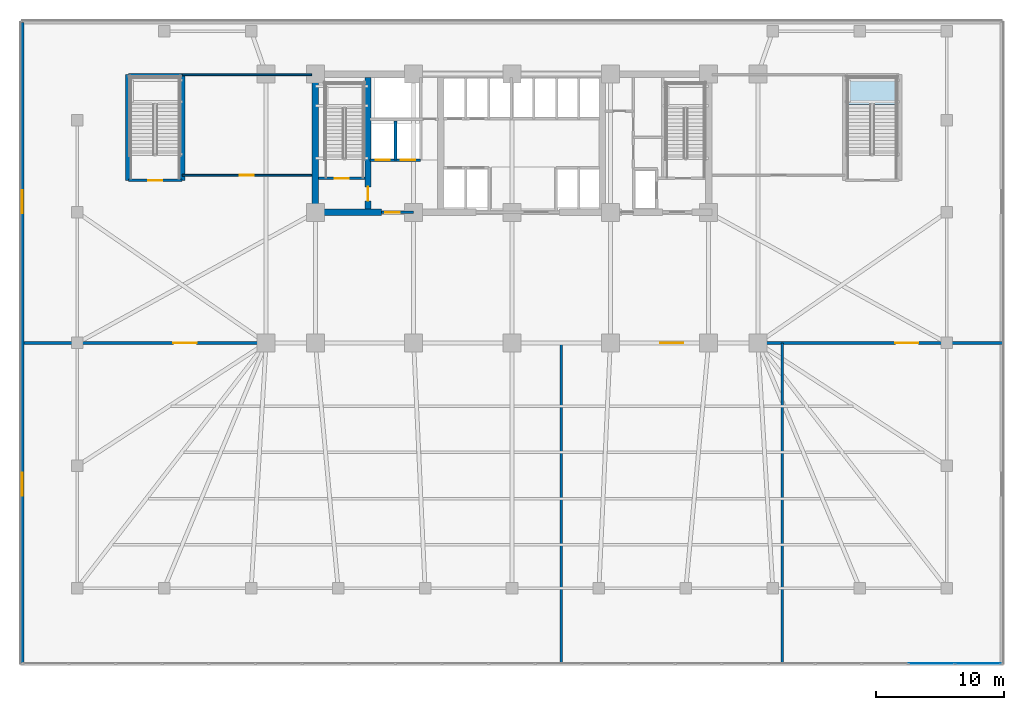
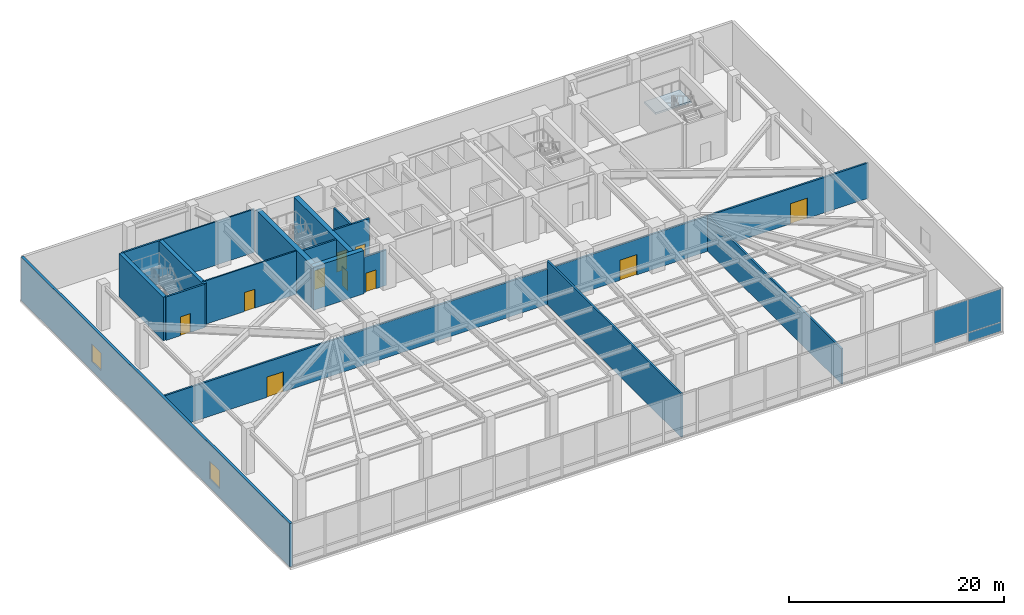
# One storey, part 12 of 19: 17 walls, 10 doors, 3 plates, 2 windows, 1 slab, 12 openings, 2 elements without a shape of their own.
"""IFC4 building model written with IfcOpenShell, lengths in metres."""

from ifc_helpers import new_model, si_unit, direction, frame, frame_2d, origin, origin_2d, place, context, subcontext, project, spatial, polyline, rectangle, outline, extrude, material, layer, layer_set, type_object, element, fill, aggregate, save


model = new_model("IFC4")

# Units and contexts
model_context = context("Model", 3, precision=1e-05, world=origin(), true_north=direction((0.0, 1.0)))
body_context = subcontext(model_context, "Body", "Model", "MODEL_VIEW")
ifc_project = project(units=[si_unit("LENGTHUNIT", "METRE"), si_unit("AREAUNIT", "SQUARE_METRE"), si_unit("VOLUMEUNIT", "CUBIC_METRE"), si_unit("PLANEANGLEUNIT", "RADIAN"), si_unit("MASSUNIT", "GRAM", prefix="KILO")], contexts=[model_context])

# Site, building, storey
site_placement = place(None, origin())
site = spatial("IfcSite", under=ifc_project, at=site_placement, CompositionType="ELEMENT")
building_placement = place(site_placement, origin())
building = spatial("IfcBuilding", under=site, at=building_placement, Name="Yelkora Congress Tower", CompositionType="ELEMENT")
storey_placement = place(building_placement, frame((0.0, 0.0, 5.199951171875)))
storey = spatial("IfcBuildingStorey", under=building, at=storey_placement, Name="L01", CompositionType="ELEMENT", Elevation=5.199951171875)

# Curtain wall, plates
ifc_material_1 = material(Name="Anodised aluminium and insulated glass", Category="aluminium")
curtain_wall_type = type_object("IfcCurtainWallType", Name="CW-SYS-POD", PredefinedType="NOTDEFINED", material=ifc_material_1)
curtain_wall_placement = place(storey_placement, origin())
curtain_wall = element("IfcCurtainWall", 1, at=curtain_wall_placement, inside=storey, type_object=curtain_wall_type, Name="L01 Podium South Curtain Wall", PredefinedType="NOTDEFINED")
ifc_material_2 = material(Name="Double-glazed low-E podium vision glass", Category="glass")
ifc_layer_1 = layer(ifc_material_2, 0.0439453125)
ifc_layer_set_1 = layer_set([ifc_layer_1], Name="Double-glazed low-E podium vision glass")
plate_type = type_object("IfcPlateType", Name="PLT-PN-POD", PredefinedType="CURTAIN_PANEL", material=ifc_layer_set_1)
plate_1_placement = place(storey_placement, frame((74.80029296875, 0.159912109375, 0.070068359375), z_axis=(0.0, 0.0, 1.0), x_axis=(-1.0, 0.0, 0.0)))
plate_1 = element("IfcPlate", 2, at=plate_1_placement, type_object=plate_type, Name="CW-POD panel 1.1", PredefinedType="CURTAIN_PANEL", context=body_context, shape_type="SweptSolid", body=[
    extrude(rectangle(XDim=3.529296875, YDim=0.0439453125, at=origin_2d()), origin(), (0.0, 0.0, 1.0), 0.9951171875),
])
plate_2_placement = place(storey_placement, frame((74.80029296875, 0.159912109375, 1.134765625), z_axis=(0.0, 0.0, 1.0), x_axis=(-1.0, 0.0, 0.0)))
plate_2 = element("IfcPlate", 3, at=plate_2_placement, type_object=plate_type, Name="CW-POD panel 1.2", PredefinedType="CURTAIN_PANEL", context=body_context, shape_type="SweptSolid", body=[
    extrude(rectangle(XDim=3.529296875, YDim=0.0439453125, at=origin_2d()), origin(), (0.0, 0.0, 1.0), 3.735107421875),
])
plate_3_placement = place(storey_placement, frame((71.17724609375, 0.159912109375, 1.134765625), z_axis=(0.0, 0.0, 1.0), x_axis=(-1.0, 0.0, 0.0)))
plate_3 = element("IfcPlate", 4, at=plate_3_placement, type_object=plate_type, Name="CW-POD panel 2.2", PredefinedType="CURTAIN_PANEL", context=body_context, shape_type="SweptSolid", body=[
    extrude(rectangle(XDim=3.56689453125, YDim=0.0439453125, at=origin_2d()), origin(), (0.0, 0.0, 1.0), 3.735107421875),
])
aggregate(curtain_wall, [plate_1, plate_2, plate_3])

# Stair, slab
ifc_material_3 = material(Name="Concrete C40/50", Category="concrete")
stair_type = type_object("IfcStairType", Name="STAIR-HT-1850-R30-173", PredefinedType="HALF_TURN_STAIR", material=ifc_material_3)
stair_placement = place(storey_placement, origin())
stair = element("IfcStair", 5, at=stair_placement, inside=storey, type_object=stair_type, Name="Podium Exit Stair ST-P2 (L01)", PredefinedType="HALF_TURN_STAIR")
ifc_layer_2 = layer(ifc_material_3, 0.219970703125)
ifc_layer_set_2 = layer_set([ifc_layer_2], Name="Concrete C40/50")
slab_type = type_object("IfcSlabType", Name="SLAB-LANDING-220", PredefinedType="LANDING", material=ifc_layer_set_2)
slab_placement = place(storey_placement, frame((0.0, 0.0, 2.380126953125)))
slab = element("IfcSlab", 6, at=slab_placement, type_object=slab_type, Name="ST-P2 L01 Half Landing 1", PredefinedType="LANDING", context=body_context, shape_type="SweptSolid", body=[
    extrude(outline(polyline([(68.4599609375, 43.820068359375), (68.4599609375, 45.949951171875), (64.60009765625, 45.949951171875), (64.60009765625, 43.820068359375), (68.4599609375, 43.820068359375)])), origin(), (0.0, 0.0, 1.0), 0.219970703125),
])
aggregate(stair, [slab])

# Walls
ifc_material_4 = material(Name="Concrete C50/60", Category="concrete")
ifc_layer_3 = layer(ifc_material_4, 0.39990234375)
ifc_layer_set_3 = layer_set([ifc_layer_3], Name="Concrete C50/60")
wall_type_1 = type_object("IfcWallType", Name="WALL-CORE-INT-400", PredefinedType="SHEAR", material=ifc_layer_set_3)
for number, where, z_axis, x_axis, name in (
    (7, (8.39990234375, 37.89990234375, 0.0), (0.0, 0.0, 1.0), (0.0, 1.0, 0.0), "L01 STP1 West Shear Wall"),
    (8, (12.659912109375, 37.89990234375, 0.0), (0.0, 0.0, 1.0), (0.0, 1.0, 0.0), "L01 STP1 East Shear Wall"),
):
    element("IfcWall", number, at=place(storey_placement, frame(where, z_axis=z_axis, x_axis=x_axis)), inside=storey, type_object=wall_type_1, Name=name, PredefinedType="SHEAR", context=body_context, shape_type="SweptSolid", body=[
        extrude(rectangle(XDim=8.25, YDim=0.39990234375, at=frame_2d((4.125, 0.0))), origin(), (0.0, 0.0, 1.0), 4.93994140625),
    ])
ifc_material_5 = material(Name="Concrete C60/75", Category="concrete")
ifc_layer_4 = layer(ifc_material_5, 0.5)
ifc_layer_set_4 = layer_set([ifc_layer_4], Name="Concrete C60/75")
wall_type_2 = type_object("IfcWallType", Name="WALL-CORE-INT-500", PredefinedType="SHEAR", material=ifc_layer_set_4)
wall_1_placement = place(storey_placement, frame((22.7900390625, 35.39990234375, 0.0), z_axis=(0.0, 0.0, 1.0), x_axis=(1.0, 0.0, 0.0)))
element("IfcWall", 9, at=wall_1_placement, inside=storey, type_object=wall_type_2, Name="L01 Rear Core South-West Shear Wall", PredefinedType="SHEAR", context=body_context, shape_type="SweptSolid", body=[
    extrude(rectangle(XDim=5.409912109375, YDim=0.5, at=frame_2d((2.705078125, 0.0))), origin(), (0.0, 0.0, 1.0), 4.93994140625),
])
wall_2_placement = place(storey_placement, frame((23.0400390625, 35.64990234375, 0.0), z_axis=(0.0, 0.0, 1.0), x_axis=(0.0, 1.0, 0.0)))
element("IfcWall", 10, at=wall_2_placement, inside=storey, type_object=wall_type_2, Name="L01 Rear Core Cross Shear Wall W", PredefinedType="SHEAR", context=body_context, shape_type="SweptSolid", body=[
    extrude(rectangle(XDim=10.300048828125, YDim=0.5, at=frame_2d((5.14990234375, 0.0))), origin(), (0.0, 0.0, 1.0), 4.93994140625),
])

# Wall, opening, door
wall_3_placement = place(storey_placement, frame((27.14990234375, 35.64990234375, 0.0), z_axis=(0.0, 0.0, 1.0), x_axis=(0.0, 1.0, 0.0)))
wall_3 = element("IfcWall", 11, at=wall_3_placement, inside=storey, type_object=wall_type_2, Name="L01 Rear Core Cross Shear Wall C1", PredefinedType="SHEAR", context=body_context, shape_type="SweptSolid", body=[
    extrude(rectangle(XDim=10.300048828125, YDim=0.5, at=frame_2d((5.14990234375, 0.0))), origin(), (0.0, 0.0, 1.0), 4.93994140625),
])
opening_1_placement = place(wall_3_placement, frame((0.64990234375, 0.0, 0.0)))
opening_1 = element("IfcOpeningElement", 12, at=opening_1_placement, cuts=wall_3, Name="Opening DR-110F9", PredefinedType="OPENING", context=body_context, shape_type="SweptSolid", body=[
    extrude(rectangle(XDim=1.10009765625, YDim=2.14990234375, at=frame_2d((0.550048828125, 1.074951171875))), frame((0.0, 0.260009765625, 0.0), z_axis=(0.0, -1.0, 0.0), x_axis=(1.0, 0.0, 0.0)), (0.0, 0.0, 1.0), 0.52001953125),
])
ifc_material_6 = material(Name="Galvanised steel fire door leaf", Category="steel")
door_type_1 = type_object("IfcDoorType", Name="DOOR-FD90-1100", OperationType="NOTDEFINED", PredefinedType="DOOR", material=ifc_material_6)
door_1_placement = place(opening_1_placement, origin())
door_1 = element("IfcDoor", 13, at=door_1_placement, inside=storey, type_object=door_type_1, Name="L01 Firefighting Stair Transfer Door", OperationType="SINGLE_SWING_LEFT", OverallHeight=2.14990234375, OverallWidth=1.10009765625, PredefinedType="DOOR", context=body_context, shape_type="SweptSolid", body=[
    extrude(rectangle(XDim=1.10009765625, YDim=2.14990234375, at=frame_2d((0.550048828125, 1.074951171875))), frame((0.0, 0.02490234375, 0.0), z_axis=(0.0, -1.0, 0.0), x_axis=(1.0, 0.0, 0.0)), (0.0, 0.0, 1.0), 0.050048828125),
])
fill(opening_1, door_1)

# Wall, openings, windows
ifc_layer_5 = layer(ifc_material_3, 0.280029296875)
ifc_layer_set_5 = layer_set([ifc_layer_5], Name="Concrete C40/50")
wall_type_3 = type_object("IfcWallType", Name="WALL-EXT-LIMESTONE-280", PredefinedType="SOLIDWALL", material=ifc_layer_set_5)
wall_4_placement = place(storey_placement, frame((0.159912109375, 0.159912109375, 0.0), z_axis=(0.0, 0.0, 1.0), x_axis=(0.0, 1.0, 0.0)))
wall_4 = element("IfcWall", 14, at=wall_4_placement, inside=storey, type_object=wall_type_3, Name="L01 Podium Limestone Wall 1", PredefinedType="SOLIDWALL", context=body_context, shape_type="SweptSolid", body=[
    extrude(rectangle(XDim=50.080078125, YDim=0.280029296875, at=frame_2d((25.0400390625, 0.0))), origin(), (0.0, 0.0, 1.0), 4.93994140625),
])
opening_2_placement = place(wall_4_placement, frame((13.122314453125, 0.0, 1.0)))
opening_2 = element("IfcOpeningElement", 15, at=opening_2_placement, cuts=wall_4, Name="Opening WN-18", PredefinedType="OPENING", context=body_context, shape_type="SweptSolid", body=[
    extrude(rectangle(XDim=1.800048828125, YDim=2.0, at=frame_2d((0.89990234375, 1.0))), frame((0.0, 0.14990234375, 0.0), z_axis=(0.0, -1.0, 0.0), x_axis=(1.0, 0.0, 0.0)), (0.0, 0.0, 1.0), 0.300048828125),
])
opening_3_placement = place(wall_4_placement, frame((35.15771484375, 0.0, 1.0)))
opening_3 = element("IfcOpeningElement", 16, at=opening_3_placement, cuts=wall_4, Name="Opening WN-18", PredefinedType="OPENING", context=body_context, shape_type="SweptSolid", body=[
    extrude(rectangle(XDim=1.800048828125, YDim=2.0, at=frame_2d((0.89990234375, 1.0))), frame((0.0, 0.14990234375, 0.0), z_axis=(0.0, -1.0, 0.0), x_axis=(1.0, 0.0, 0.0)), (0.0, 0.0, 1.0), 0.300048828125),
])
ifc_material_7 = material(Name="Thermally broken aluminium low-E window", Category="aluminium")
window_type = type_object("IfcWindowType", Name="WIN-POD-1800x2000", PartitioningType="SINGLE_PANEL", PredefinedType="WINDOW", material=ifc_material_7)
window_1_placement = place(opening_2_placement, origin())
window_1 = element("IfcWindow", 17, at=window_1_placement, inside=storey, type_object=window_type, Name="L01 Podium Facade Window 1-1", OverallHeight=2.0, OverallWidth=1.800048828125, PartitioningType="SINGLE_PANEL", PredefinedType="WINDOW", context=body_context, shape_type="SweptSolid", body=[
    extrude(rectangle(XDim=1.800048828125, YDim=2.0, at=frame_2d((0.89990234375, 1.0))), frame((0.0, 0.030029296875, 0.0), z_axis=(0.0, -1.0, 0.0), x_axis=(1.0, 0.0, 0.0)), (0.0, 0.0, 1.0), 0.06005859375),
])
fill(opening_2, window_1)
window_2_placement = place(opening_3_placement, origin())
window_2 = element("IfcWindow", 18, at=window_2_placement, inside=storey, type_object=window_type, Name="L01 Podium Facade Window 1-2", OverallHeight=2.0, OverallWidth=1.800048828125, PartitioningType="SINGLE_PANEL", PredefinedType="WINDOW", context=body_context, shape_type="SweptSolid", body=[
    extrude(rectangle(XDim=1.800048828125, YDim=2.0, at=frame_2d((0.89990234375, 1.0))), frame((0.0, 0.030029296875, 0.0), z_axis=(0.0, -1.0, 0.0), x_axis=(1.0, 0.0, 0.0)), (0.0, 0.0, 1.0), 0.06005859375),
])
fill(opening_3, window_2)

# Wall, opening, door
ifc_material_8 = material(Name="Acoustic metal-stud gypsum partition", Category="gypsum")
ifc_layer_6 = layer(ifc_material_8, 0.14990234375)
ifc_layer_set_6 = layer_set([ifc_layer_6], Name="Acoustic metal-stud gypsum partition")
wall_type_4 = type_object("IfcWallType", Name="WALL-INT-150-NR", PredefinedType="PARTITIONING", material=ifc_layer_set_6)
wall_5_placement = place(storey_placement, frame((12.64990234375, 38.300048828125, 0.0), z_axis=(0.0, 0.0, 1.0), x_axis=(1.0, 0.0, 0.0)))
wall_5 = element("IfcWall", 19, at=wall_5_placement, inside=storey, type_object=wall_type_4, Name="L01 Partition Wall 35", PredefinedType="PARTITIONING", context=body_context, shape_type="SweptSolid", body=[
    extrude(rectangle(XDim=10.10009765625, YDim=0.14990234375, at=frame_2d((5.050048828125, 0.0))), origin(), (0.0, 0.0, 1.0), 4.93994140625),
])
opening_4_placement = place(wall_5_placement, frame((4.5, 0.0, 0.0)))
opening_4 = element("IfcOpeningElement", 20, at=opening_4_placement, cuts=wall_5, Name="Opening DR-110N", PredefinedType="OPENING", context=body_context, shape_type="SweptSolid", body=[
    extrude(rectangle(XDim=1.10009765625, YDim=2.14990234375, at=frame_2d((0.550048828125, 1.074951171875))), frame((0.0, 0.0849609375, 0.0), z_axis=(0.0, -1.0, 0.0), x_axis=(1.0, 0.0, 0.0)), (0.0, 0.0, 1.0), 0.169921875),
])
ifc_material_9 = material(Name="Solid-core Anatolian oak veneer door", Category="wood")
door_type_2 = type_object("IfcDoorType", Name="DOOR-INT-1100", OperationType="NOTDEFINED", PredefinedType="DOOR", material=ifc_material_9)
door_2_placement = place(opening_4_placement, origin())
door_2 = element("IfcDoor", 21, at=door_2_placement, inside=storey, type_object=door_type_2, Name="L01 Interior Door 19", OperationType="SINGLE_SWING_LEFT", OverallHeight=2.14990234375, OverallWidth=1.10009765625, PredefinedType="DOOR", context=body_context, shape_type="SweptSolid", body=[
    extrude(rectangle(XDim=1.10009765625, YDim=2.14990234375, at=frame_2d((0.550048828125, 1.074951171875))), frame((0.0, 0.02490234375, 0.0), z_axis=(0.0, -1.0, 0.0), x_axis=(1.0, 0.0, 0.0)), (0.0, 0.0, 1.0), 0.050048828125),
])
fill(opening_4, door_2)

# Wall
wall_6_placement = place(storey_placement, frame((12.64990234375, 46.14990234375, 0.0), z_axis=(0.0, 0.0, 1.0), x_axis=(1.0, 0.0, 0.0)))
element("IfcWall", 22, at=wall_6_placement, inside=storey, type_object=wall_type_4, Name="L01 Partition Wall 36", PredefinedType="PARTITIONING", context=body_context, shape_type="SweptSolid", body=[
    extrude(rectangle(XDim=10.10009765625, YDim=0.14990234375, at=frame_2d((5.050048828125, 0.0))), origin(), (0.0, 0.0, 1.0), 4.93994140625),
])

# Wall, opening, door
ifc_material_10 = material(Name="Autoclaved aerated concrete blockwork", Category="masonry")
ifc_layer_7 = layer(ifc_material_10, 0.199951171875)
ifc_layer_set_7 = layer_set([ifc_layer_7], Name="Autoclaved aerated concrete blockwork")
wall_type_5 = type_object("IfcWallType", Name="WALL-INT-200-R120", PredefinedType="PARTITIONING", material=ifc_layer_set_7)
wall_7_placement = place(storey_placement, frame((23.300048828125, 38.050048828125, 0.0), z_axis=(0.0, 0.0, 1.0), x_axis=(1.0, 0.0, 0.0)))
wall_7 = element("IfcWall", 23, at=wall_7_placement, inside=storey, type_object=wall_type_5, Name="L01 Stair ST-01 Enclosure Wall", PredefinedType="PARTITIONING", context=body_context, shape_type="SweptSolid", body=[
    extrude(rectangle(XDim=3.619873046875, YDim=0.199951171875, at=frame_2d((1.81005859375, 0.0))), origin(), (0.0, 0.0, 1.0), 4.93994140625),
])
opening_5_placement = place(wall_7_placement, frame((1.260009765625, 0.0, 0.0)))
opening_5 = element("IfcOpeningElement", 24, at=opening_5_placement, cuts=wall_7, Name="Opening DR-110F9", PredefinedType="OPENING", context=body_context, shape_type="SweptSolid", body=[
    extrude(rectangle(XDim=1.10009765625, YDim=2.14990234375, at=frame_2d((0.550048828125, 1.074951171875))), frame((0.0, 0.10986328125, 0.0), z_axis=(0.0, -1.0, 0.0), x_axis=(1.0, 0.0, 0.0)), (0.0, 0.0, 1.0), 0.219970703125),
])
door_3_placement = place(opening_5_placement, origin())
door_3 = element("IfcDoor", 25, at=door_3_placement, inside=storey, type_object=door_type_1, Name="L01 Stair ST-01 Entry Door", OperationType="SINGLE_SWING_LEFT", OverallHeight=2.14990234375, OverallWidth=1.10009765625, PredefinedType="DOOR", context=body_context, shape_type="SweptSolid", body=[
    extrude(rectangle(XDim=1.10009765625, YDim=2.14990234375, at=frame_2d((0.550048828125, 1.074951171875))), frame((0.0, 0.02490234375, 0.0), z_axis=(0.0, -1.0, 0.0), x_axis=(1.0, 0.0, 0.0)), (0.0, 0.0, 1.0), 0.050048828125),
])
fill(opening_5, door_3)

wall_8_placement = place(storey_placement, frame((28.219970703125, 35.39990234375, 0.0), z_axis=(0.0, 0.0, 1.0), x_axis=(1.0, 0.0, 0.0)))
wall_8 = element("IfcWall", 26, at=wall_8_placement, inside=storey, type_object=wall_type_5, Name="L01 Firefighting Lobby South Wall", PredefinedType="PARTITIONING", context=body_context, shape_type="SweptSolid", body=[
    extrude(rectangle(XDim=2.5, YDim=0.199951171875, at=frame_2d((1.25, 0.0))), origin(), (0.0, 0.0, 1.0), 4.025146484375),
])
opening_6_placement = place(wall_8_placement, frame((0.300048828125, 0.0, 0.0)))
opening_6 = element("IfcOpeningElement", 27, at=opening_6_placement, cuts=wall_8, Name="Opening DR-110F9", PredefinedType="OPENING", context=body_context, shape_type="SweptSolid", body=[
    extrude(rectangle(XDim=1.10009765625, YDim=2.14990234375, at=frame_2d((0.550048828125, 1.074951171875))), frame((0.0, 0.10986328125, 0.0), z_axis=(0.0, -1.0, 0.0), x_axis=(1.0, 0.0, 0.0)), (0.0, 0.0, 1.0), 0.219970703125),
])
door_4_placement = place(opening_6_placement, origin())
door_4 = element("IfcDoor", 28, at=door_4_placement, inside=storey, type_object=door_type_1, Name="L01 Firefighting Lobby Corridor Door", OperationType="SINGLE_SWING_RIGHT", OverallHeight=2.14990234375, OverallWidth=1.10009765625, PredefinedType="DOOR", context=body_context, shape_type="SweptSolid", body=[
    extrude(rectangle(XDim=1.10009765625, YDim=2.14990234375, at=frame_2d((0.550048828125, 1.074951171875))), frame((0.0, 0.02490234375, 0.0), z_axis=(0.0, -1.0, 0.0), x_axis=(1.0, 0.0, 0.0)), (0.0, 0.0, 1.0), 0.050048828125),
])
fill(opening_6, door_4)

# Wall, openings, doors
wall_9_placement = place(storey_placement, frame((27.320068359375, 39.47998046875, 0.0), z_axis=(0.0, 0.0, 1.0), x_axis=(1.0, 0.0, 0.0)))
wall_9 = element("IfcWall", 29, at=wall_9_placement, inside=storey, type_object=wall_type_5, Name="L01 Firefighting Lift Front Wall", PredefinedType="PARTITIONING", context=body_context, shape_type="SweptSolid", body=[
    extrude(rectangle(XDim=3.93994140625, YDim=0.199951171875, at=frame_2d((1.969970703125, 0.0))), origin(), (0.0, 0.0, 1.0), 4.93994140625),
])
opening_7_placement = place(wall_9_placement, frame((0.449951171875, 0.0, 0.0)))
opening_7 = element("IfcOpeningElement", 30, at=opening_7_placement, cuts=wall_9, Name="Opening LD-FF11", PredefinedType="OPENING", context=body_context, shape_type="SweptSolid", body=[
    extrude(rectangle(XDim=1.10009765625, YDim=2.199951171875, at=frame_2d((0.550048828125, 1.10009765625))), frame((0.0, 0.10986328125, 0.0), z_axis=(0.0, -1.0, 0.0), x_axis=(1.0, 0.0, 0.0)), (0.0, 0.0, 1.0), 0.219970703125),
])
opening_8_placement = place(wall_9_placement, frame((2.409912109375, 0.0, 0.0)))
opening_8 = element("IfcOpeningElement", 31, at=opening_8_placement, cuts=wall_9, Name="Opening LD-FF11", PredefinedType="OPENING", context=body_context, shape_type="SweptSolid", body=[
    extrude(rectangle(XDim=1.10009765625, YDim=2.199951171875, at=frame_2d((0.550048828125, 1.10009765625))), frame((0.0, 0.10986328125, 0.0), z_axis=(0.0, -1.0, 0.0), x_axis=(1.0, 0.0, 0.0)), (0.0, 0.0, 1.0), 0.219970703125),
])
ifc_material_11 = material(Name="Brushed stainless steel 316L landing door", Category="steel")
door_type_3 = type_object("IfcDoorType", Name="DOOR-LIFT-FF-1100", OperationType="DOUBLE_DOOR_SLIDING", PredefinedType="DOOR", material=ifc_material_11)
door_5_placement = place(opening_7_placement, origin())
door_5 = element("IfcDoor", 32, at=door_5_placement, inside=storey, type_object=door_type_3, Name="Lift Landing Door LF-FF1 L01", OperationType="DOUBLE_DOOR_SLIDING", OverallHeight=2.199951171875, OverallWidth=1.10009765625, PredefinedType="DOOR", context=body_context, shape_type="SweptSolid", body=[
    extrude(rectangle(XDim=1.10009765625, YDim=2.199951171875, at=frame_2d((0.550048828125, 1.10009765625))), frame((0.0, 0.02490234375, 0.0), z_axis=(0.0, -1.0, 0.0), x_axis=(1.0, 0.0, 0.0)), (0.0, 0.0, 1.0), 0.050048828125),
])
fill(opening_7, door_5)
door_6_placement = place(opening_8_placement, origin())
door_6 = element("IfcDoor", 33, at=door_6_placement, inside=storey, type_object=door_type_3, Name="Lift Landing Door LF-FF2 L01", OperationType="DOUBLE_DOOR_SLIDING", OverallHeight=2.199951171875, OverallWidth=1.10009765625, PredefinedType="DOOR", context=body_context, shape_type="SweptSolid", body=[
    extrude(rectangle(XDim=1.10009765625, YDim=2.199951171875, at=frame_2d((0.550048828125, 1.10009765625))), frame((0.0, 0.02490234375, 0.0), z_axis=(0.0, -1.0, 0.0), x_axis=(1.0, 0.0, 0.0)), (0.0, 0.0, 1.0), 0.050048828125),
])
fill(opening_8, door_6)

# Wall
wall_10_placement = place(storey_placement, frame((29.300048828125, 39.47998046875, 0.0), z_axis=(0.0, 0.0, 1.0), x_axis=(0.0, 1.0, 0.0)))
element("IfcWall", 34, at=wall_10_placement, inside=storey, type_object=wall_type_5, Name="L01 Partition Wall 4", PredefinedType="PARTITIONING", context=body_context, shape_type="SweptSolid", body=[
    extrude(rectangle(XDim=3.070068359375, YDim=0.199951171875, at=frame_2d((1.53515625, 0.0))), origin(), (0.0, 0.0, 1.0), 4.93994140625),
])

# Wall, opening, door
wall_11_placement = place(storey_placement, frame((8.449951171875, 37.89990234375, 0.0), z_axis=(0.0, 0.0, 1.0), x_axis=(1.0, 0.0, 0.0)))
wall_11 = element("IfcWall", 35, at=wall_11_placement, inside=storey, type_object=wall_type_5, Name="L01 Partition Wall 31", PredefinedType="PARTITIONING", context=body_context, shape_type="SweptSolid", body=[
    extrude(rectangle(XDim=4.170166015625, YDim=0.199951171875, at=frame_2d((2.0849609375, 0.0))), origin(), (0.0, 0.0, 1.0), 4.93994140625),
])
opening_9_placement = place(wall_11_placement, frame((1.534912109375, 0.0, 0.0)))
opening_9 = element("IfcOpeningElement", 36, at=opening_9_placement, cuts=wall_11, Name="Opening DR-110F9", PredefinedType="OPENING", context=body_context, shape_type="SweptSolid", body=[
    extrude(rectangle(XDim=1.10009765625, YDim=2.14990234375, at=frame_2d((0.550048828125, 1.074951171875))), frame((0.0, 0.10986328125, 0.0), z_axis=(0.0, -1.0, 0.0), x_axis=(1.0, 0.0, 0.0)), (0.0, 0.0, 1.0), 0.219970703125),
])
door_7_placement = place(opening_9_placement, origin())
door_7 = element("IfcDoor", 37, at=door_7_placement, inside=storey, type_object=door_type_1, Name="L01 ST-P1 Door", OperationType="SINGLE_SWING_LEFT", OverallHeight=2.14990234375, OverallWidth=1.10009765625, PredefinedType="DOOR", context=body_context, shape_type="SweptSolid", body=[
    extrude(rectangle(XDim=1.10009765625, YDim=2.14990234375, at=frame_2d((0.550048828125, 1.074951171875))), frame((0.0, 0.02490234375, 0.0), z_axis=(0.0, -1.0, 0.0), x_axis=(1.0, 0.0, 0.0)), (0.0, 0.0, 1.0), 0.050048828125),
])
fill(opening_9, door_7)

# Walls
wall_12_placement = place(storey_placement, frame((8.449951171875, 46.14990234375, 0.0), z_axis=(0.0, 0.0, 1.0), x_axis=(1.0, 0.0, 0.0)))
element("IfcWall", 38, at=wall_12_placement, inside=storey, type_object=wall_type_5, Name="L01 Partition Wall 32", PredefinedType="PARTITIONING", context=body_context, shape_type="SweptSolid", body=[
    extrude(rectangle(XDim=4.170166015625, YDim=0.199951171875, at=frame_2d((2.0849609375, 0.0))), origin(), (0.0, 0.0, 1.0), 4.93994140625),
])
ifc_material_12 = material(Name="Autoclaved high-density acoustic blockwork", Category="masonry")
ifc_layer_8 = layer(ifc_material_12, 0.199951171875)
ifc_layer_set_8 = layer_set([ifc_layer_8], Name="Autoclaved high-density acoustic blockwork")
wall_type_6 = type_object("IfcWallType", Name="WALL-INT-200-R90", PredefinedType="PARTITIONING", material=ifc_layer_set_8)
wall_13_placement = place(storey_placement, frame((42.239990234375, 0.179931640625, 0.0), z_axis=(0.0, 0.0, 1.0), x_axis=(0.0, 1.0, 0.0)))
element("IfcWall", 39, at=wall_13_placement, inside=storey, type_object=wall_type_6, Name="L01 Partition Wall 39", PredefinedType="PARTITIONING", context=body_context, shape_type="SweptSolid", body=[
    extrude(rectangle(XDim=25.02001953125, YDim=0.199951171875, at=frame_2d((12.510009765625, 0.0))), origin(), (0.0, 0.0, 1.0), 4.93994140625),
])
wall_14_placement = place(storey_placement, frame((59.5, 0.179931640625, 0.0), z_axis=(0.0, 0.0, 1.0), x_axis=(0.0, 1.0, 0.0)))
element("IfcWall", 40, at=wall_14_placement, inside=storey, type_object=wall_type_6, Name="L01 Partition Wall 40", PredefinedType="PARTITIONING", context=body_context, shape_type="SweptSolid", body=[
    extrude(rectangle(XDim=25.02001953125, YDim=0.199951171875, at=frame_2d((12.510009765625, 0.0))), origin(), (0.0, 0.0, 1.0), 4.025146484375),
])

# Wall, openings, doors
wall_15_placement = place(storey_placement, frame((0.080078125, 25.199951171875, 0.0), z_axis=(0.0, 0.0, 1.0), x_axis=(1.0, 0.0, 0.0)))
wall_15 = element("IfcWall", 41, at=wall_15_placement, inside=storey, type_object=wall_type_6, Name="L01 Hall Spine Wall Grid D", PredefinedType="PARTITIONING", context=body_context, shape_type="SweptSolid", body=[
    extrude(rectangle(XDim=76.639892578125, YDim=0.199951171875, at=frame_2d((38.31982421875, 0.0))), origin(), (0.0, 0.0, 1.0), 4.025146484375),
])
opening_10_placement = place(wall_15_placement, frame((11.8798828125, 0.0, 0.0)))
opening_10 = element("IfcOpeningElement", 42, at=opening_10_placement, cuts=wall_15, Name="Opening DR-180D", PredefinedType="OPENING", context=body_context, shape_type="SweptSolid", body=[
    extrude(rectangle(XDim=1.800048828125, YDim=2.300048828125, at=frame_2d((0.89990234375, 1.14990234375))), frame((0.0, 0.10986328125, 0.0), z_axis=(0.0, -1.0, 0.0), x_axis=(1.0, 0.0, 0.0)), (0.0, 0.0, 1.0), 0.219970703125),
])
opening_11_placement = place(wall_15_placement, frame((49.889892578125, 0.0, 0.0)))
opening_11 = element("IfcOpeningElement", 43, at=opening_11_placement, cuts=wall_15, Name="Opening DR-180D", PredefinedType="OPENING", context=body_context, shape_type="SweptSolid", body=[
    extrude(rectangle(XDim=1.800048828125, YDim=2.300048828125, at=frame_2d((0.89990234375, 1.14990234375))), frame((0.0, 0.10986328125, 0.0), z_axis=(0.0, -1.0, 0.0), x_axis=(1.0, 0.0, 0.0)), (0.0, 0.0, 1.0), 0.219970703125),
])
opening_12_placement = place(wall_15_placement, frame((68.251953125, 0.0, 0.0)))
opening_12 = element("IfcOpeningElement", 44, at=opening_12_placement, cuts=wall_15, Name="Opening DR-180D", PredefinedType="OPENING", context=body_context, shape_type="SweptSolid", body=[
    extrude(rectangle(XDim=1.800048828125, YDim=2.300048828125, at=frame_2d((0.89990234375, 1.14990234375))), frame((0.0, 0.10986328125, 0.0), z_axis=(0.0, -1.0, 0.0), x_axis=(1.0, 0.0, 0.0)), (0.0, 0.0, 1.0), 0.219970703125),
])
ifc_material_13 = material(Name="Acoustic double congress hall doors", Category="wood")
door_type_4 = type_object("IfcDoorType", Name="DOOR-DBL-1800", OperationType="DOUBLE_DOOR_SINGLE_SWING", PredefinedType="DOOR", material=ifc_material_13)
door_8_placement = place(opening_10_placement, origin())
door_8 = element("IfcDoor", 45, at=door_8_placement, inside=storey, type_object=door_type_4, Name="L01 Exhibition Hall B Entrance Door", OperationType="DOUBLE_DOOR_SINGLE_SWING", OverallHeight=2.300048828125, OverallWidth=1.800048828125, PredefinedType="DOOR", context=body_context, shape_type="SweptSolid", body=[
    extrude(rectangle(XDim=1.800048828125, YDim=2.300048828125, at=frame_2d((0.89990234375, 1.14990234375))), frame((0.0, 0.02490234375, 0.0), z_axis=(0.0, -1.0, 0.0), x_axis=(1.0, 0.0, 0.0)), (0.0, 0.0, 1.0), 0.050048828125),
])
fill(opening_10, door_8)
door_9_placement = place(opening_11_placement, origin())
door_9 = element("IfcDoor", 46, at=door_9_placement, inside=storey, type_object=door_type_4, Name="L01 Breakout Seminar Hall 101 Entrance Door", OperationType="DOUBLE_DOOR_SINGLE_SWING", OverallHeight=2.300048828125, OverallWidth=1.800048828125, PredefinedType="DOOR", context=body_context, shape_type="SweptSolid", body=[
    extrude(rectangle(XDim=1.800048828125, YDim=2.300048828125, at=frame_2d((0.89990234375, 1.14990234375))), frame((0.0, 0.02490234375, 0.0), z_axis=(0.0, -1.0, 0.0), x_axis=(1.0, 0.0, 0.0)), (0.0, 0.0, 1.0), 0.050048828125),
])
fill(opening_11, door_9)
door_10_placement = place(opening_12_placement, origin())
door_10 = element("IfcDoor", 47, at=door_10_placement, inside=storey, type_object=door_type_4, Name="L01 Breakout Seminar Room 102 Entrance Door", OperationType="DOUBLE_DOOR_SINGLE_SWING", OverallHeight=2.300048828125, OverallWidth=1.800048828125, PredefinedType="DOOR", context=body_context, shape_type="SweptSolid", body=[
    extrude(rectangle(XDim=1.800048828125, YDim=2.300048828125, at=frame_2d((0.89990234375, 1.14990234375))), frame((0.0, 0.02490234375, 0.0), z_axis=(0.0, -1.0, 0.0), x_axis=(1.0, 0.0, 0.0)), (0.0, 0.0, 1.0), 0.050048828125),
])
fill(opening_12, door_10)

save(model, "model.ifc")
